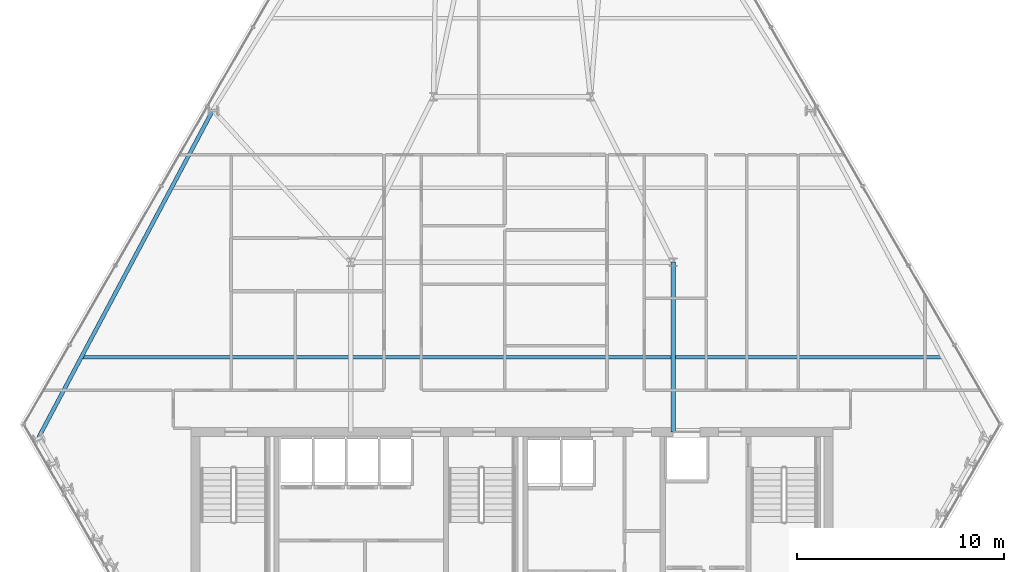
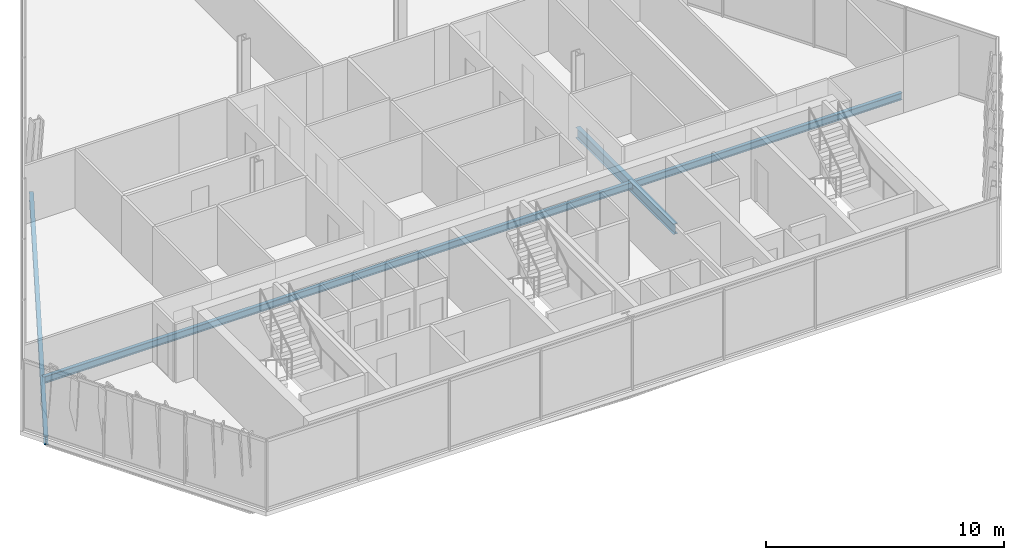
# One storey, part 10 of 31: 3 beams.
"""IFC4 building model written with IfcOpenShell, lengths in metres."""

from ifc_helpers import new_model, si_unit, direction, frame, origin, origin_2d, place, context, subcontext, project, spatial, i_section, extrude, material, material_profile, profile_set, type_object, element, save


model = new_model("IFC4")

# Units and contexts
model_context = context("Model", 3, precision=1e-05, world=origin(), true_north=direction((0.0, 1.0)))
body_context = subcontext(model_context, "Body", "Model", "MODEL_VIEW")
ifc_project = project(units=[si_unit("LENGTHUNIT", "METRE"), si_unit("AREAUNIT", "SQUARE_METRE"), si_unit("VOLUMEUNIT", "CUBIC_METRE"), si_unit("PLANEANGLEUNIT", "RADIAN"), si_unit("MASSUNIT", "GRAM", prefix="KILO")], contexts=[model_context])

# Site, building, storey
site_placement = place(None, origin())
site = spatial("IfcSite", under=ifc_project, at=site_placement, CompositionType="ELEMENT")
building_placement = place(site_placement, origin())
building = spatial("IfcBuilding", under=site, at=building_placement, Name="Ndaravel Arena Tower", CompositionType="ELEMENT")
storey_placement = place(building_placement, frame((0.0, 0.0, 146.0)))
storey = spatial("IfcBuildingStorey", under=building, at=storey_placement, Name="L34", CompositionType="ELEMENT", Elevation=146.0)

# Beams
ifc_material_1 = material(Name="Steel S355", Category="steel")
ifc_material_profile_1 = material_profile(ifc_material_1, i_section(OverallWidth=0.210693359375, OverallDepth=0.53955078125, WebThickness=0.01171875, FlangeThickness=0.018798828125, FilletRadius=0.0126953125, at=origin_2d()), Name="UB 533x210x109")
ifc_profile_set_1 = profile_set([ifc_material_profile_1], Name="Steel S355")
beam_type_1 = type_object("IfcBeamType", Name="BM-GIRD-UB533", PredefinedType="BEAM", material=ifc_profile_set_1)
beam_1_placement = place(storey_placement, frame((49.800048828125, 14.97998046875, -0.48974609375), z_axis=(0.0, 1.0, 0.0), x_axis=(-1.0, 0.0, 0.0)))
element("IfcBeam", 1, at=beam_1_placement, inside=storey, type_object=beam_type_1, Name="L34 Spine Link Girder SLG-02", PredefinedType="BEAM", context=body_context, shape_type="SweptSolid", body=[
    extrude(i_section(OverallWidth=0.210693359375, OverallDepth=0.53955078125, WebThickness=0.01171875, FlangeThickness=0.018798828125, FilletRadius=0.0126953125, at=origin_2d()), origin(), (0.0, 0.0, 1.0), 8.219970703125),
])
ifc_material_2 = material(Name="Steel S355", Category="steel")
ifc_material_profile_2 = material_profile(ifc_material_2, i_section(OverallWidth=0.172119140625, OverallDepth=0.35791015625, WebThickness=0.008056640625, FlangeThickness=0.012939453125, FilletRadius=0.01025390625, at=origin_2d()), Name="UB 356x171x57")
ifc_profile_set_2 = profile_set([ifc_material_profile_2], Name="Steel S355")
beam_type_2 = type_object("IfcBeamType", Name="BM-JOIST-UB356", PredefinedType="JOIST", material=ifc_profile_set_2)
beam_2_placement = place(storey_placement, frame((21.14794921875, 18.60009765625, -0.39892578125), z_axis=(1.0, 0.0, 0.0), x_axis=(0.0, 1.0, 0.0)))
element("IfcBeam", 2, at=beam_2_placement, inside=storey, type_object=beam_type_2, Name="L34 Composite Floor Joist FJ-01", PredefinedType="JOIST", context=body_context, shape_type="SweptSolid", body=[
    extrude(i_section(OverallWidth=0.172119140625, OverallDepth=0.35791015625, WebThickness=0.008056640625, FlangeThickness=0.012939453125, FilletRadius=0.01025390625, at=origin_2d()), origin(), (0.0, 0.0, 1.0), 41.7041015625),
])
ifc_material_3 = material(Name="Steel S355", Category="steel")
ifc_material_profile_3 = material_profile(ifc_material_3, i_section(OverallWidth=0.18994140625, OverallDepth=0.449951171875, WebThickness=0.009521484375, FlangeThickness=0.0146484375, FilletRadius=0.02099609375, at=origin_2d()), Name="IPE 450")
ifc_profile_set_3 = profile_set([ifc_material_profile_3], Name="Steel S355")
beam_type_3 = type_object("IfcBeamType", Name="BM-SPAN-IPE450", PredefinedType="SPANDREL", material=ifc_profile_set_3)
beam_3_placement = place(storey_placement, frame((27.517578125, 30.564208984375, -0.445068359375), z_axis=(-0.469938352002, -0.882699238313, 0.0), x_axis=(0.882699238313, -0.469938352002, 0.0)))
element("IfcBeam", 3, at=beam_3_placement, inside=storey, type_object=beam_type_3, Name="L34 Perimeter Spandrel Beam SP-19", PredefinedType="SPANDREL", context=body_context, shape_type="SweptSolid", body=[
    extrude(i_section(OverallWidth=0.18994140625, OverallDepth=0.449951171875, WebThickness=0.009521484375, FlangeThickness=0.0146484375, FilletRadius=0.02099609375, at=origin_2d()), origin(), (0.0, 0.0, 1.0), 17.94189453125),
])

save(model, "model.ifc")
